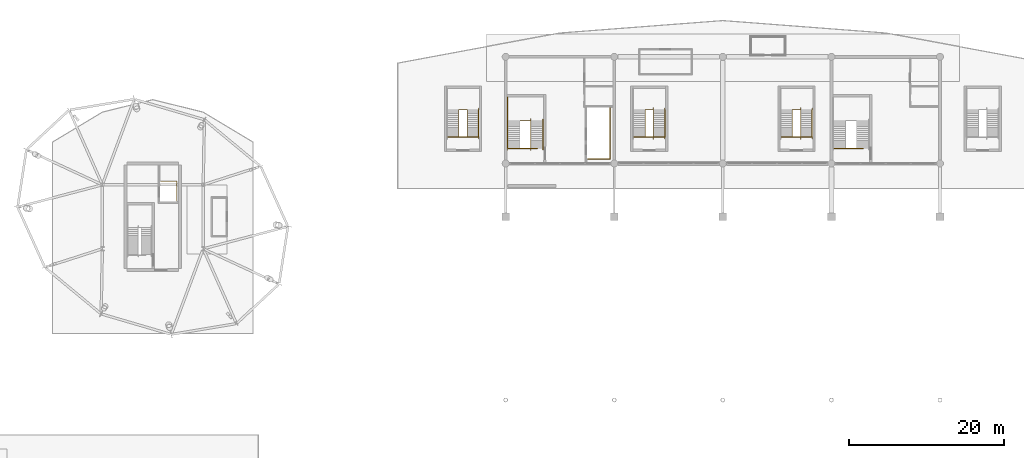
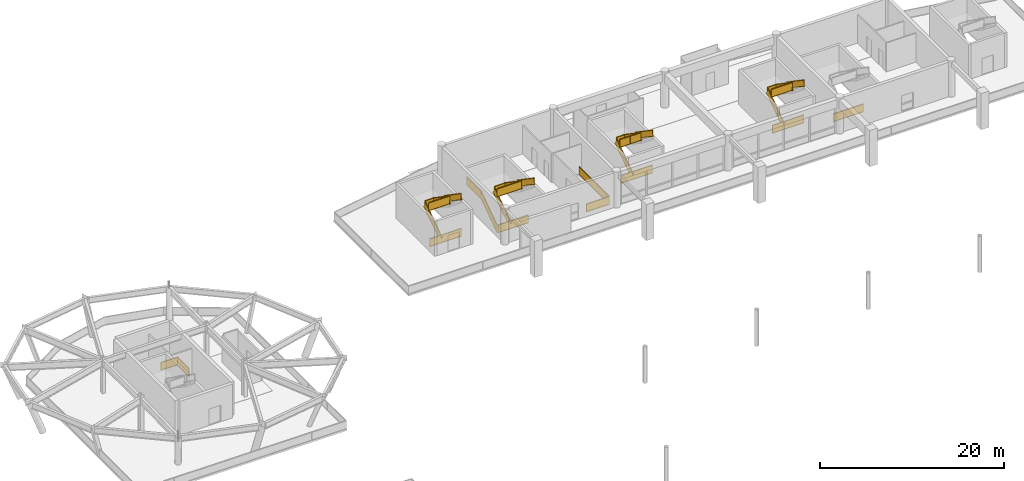
# One storey, part 88 of 91: 16 railings.
"""IFC4 building model written with IfcOpenShell, lengths in metres."""

from ifc_helpers import new_model, si_unit, direction, frame, origin, origin_2d, place, context, subcontext, project, spatial, rectangle, extrude, material, type_object, element, save


model = new_model("IFC4")

# Units and contexts
model_context = context("Model", 3, precision=1e-05, world=origin(), true_north=direction((0.0, 1.0)))
body_context = subcontext(model_context, "Body", "Model", "MODEL_VIEW")
ifc_project = project(units=[si_unit("LENGTHUNIT", "METRE"), si_unit("AREAUNIT", "SQUARE_METRE"), si_unit("VOLUMEUNIT", "CUBIC_METRE"), si_unit("PLANEANGLEUNIT", "RADIAN"), si_unit("MASSUNIT", "GRAM", prefix="KILO")], contexts=[model_context])

# Site, building, storey
site_placement = place(None, origin())
site = spatial("IfcSite", under=ifc_project, at=site_placement, CompositionType="ELEMENT")
building_placement = place(site_placement, origin())
building = spatial("IfcBuilding", under=site, at=building_placement, Name="Linyun Crest Stadium", CompositionType="ELEMENT")
storey_placement = place(building_placement, frame((0.0, 0.0, 11.39990234375)))
storey = spatial("IfcBuildingStorey", under=building, at=storey_placement, Name="L03", CompositionType="ELEMENT", Elevation=11.39990234375)

# Railings
ifc_material_1 = material(Name="Galvanized and powder-coated steel bowl safety barrier", Category="steel")
railing_type_1 = type_object("IfcRailingType", Name="GR02", PredefinedType="GUARDRAIL", material=ifc_material_1)
railing_1_placement = place(storey_placement, frame((14.340087890625, 93.4599609375, 0.0)))
element("IfcRailing", 1, at=railing_1_placement, inside=storey, type_object=railing_type_1, Name="Slab edge balustrade GR02 207", PredefinedType="GUARDRAIL", context=body_context, shape_type="SweptSolid", body=[
    extrude(rectangle(XDim=0.06005859375, YDim=0.06005859375, at=origin_2d()), frame((0.0, 0.0, 1.090087890625), z_axis=(1.0, 0.0, 0.0), x_axis=(0.0, 1.0, 0.0)), (0.0, 0.0, 1.0), 3.760009765625),
    extrude(rectangle(XDim=0.030029296875, YDim=1.0, at=origin_2d()), frame((0.0, 0.0, 0.56005859375), z_axis=(1.0, 0.0, 0.0), x_axis=(0.0, 1.0, 0.0)), (0.0, 0.0, 1.0), 3.760009765625),
    extrude(rectangle(XDim=0.06005859375, YDim=0.06005859375, at=origin_2d()), frame((0.0, 0.0, 0.030029296875), z_axis=(1.0, 0.0, 0.0), x_axis=(0.0, 1.0, 0.0)), (0.0, 0.0, 1.0), 3.760009765625),
    extrude(rectangle(XDim=0.050048828125, YDim=0.050048828125, at=origin_2d()), origin(), (0.0, 0.0, 1.0), 1.1201171875),
    extrude(rectangle(XDim=0.050048828125, YDim=0.050048828125, at=origin_2d()), frame((3.760009765625, 0.0, 0.0)), (0.0, 0.0, 1.0), 1.1201171875),
])
for number, where, name in (
    (2, (7.5400390625, 94.889892578125, 0.0), "Slab edge balustrade GR02 208"),
    (3, (-11.4599609375, 94.889892578125, 0.0), "Slab edge balustrade GR02 209"),
):
    element("IfcRailing", number, at=place(storey_placement, frame(where)), inside=storey, type_object=railing_type_1, Name=name, PredefinedType="GUARDRAIL", context=body_context, shape_type="SweptSolid", body=[
        extrude(rectangle(XDim=0.06005859375, YDim=0.06005859375, at=origin_2d()), frame((0.0, 0.0, 1.090087890625), z_axis=(1.0, 0.0, 0.0), x_axis=(0.0, 1.0, 0.0)), (0.0, 0.0, 1.0), 3.919921875),
        extrude(rectangle(XDim=0.030029296875, YDim=1.0, at=origin_2d()), frame((0.0, 0.0, 0.56005859375), z_axis=(1.0, 0.0, 0.0), x_axis=(0.0, 1.0, 0.0)), (0.0, 0.0, 1.0), 3.919921875),
        extrude(rectangle(XDim=0.06005859375, YDim=0.06005859375, at=origin_2d()), frame((0.0, 0.0, 0.030029296875), z_axis=(1.0, 0.0, 0.0), x_axis=(0.0, 1.0, 0.0)), (0.0, 0.0, 1.0), 3.919921875),
        extrude(rectangle(XDim=0.050048828125, YDim=0.050048828125, at=origin_2d()), origin(), (0.0, 0.0, 1.0), 1.1201171875),
        extrude(rectangle(XDim=0.050048828125, YDim=0.050048828125, at=origin_2d()), frame((3.919921875, 0.0, 0.0)), (0.0, 0.0, 1.0), 1.1201171875),
    ])
railing_2_placement = place(storey_placement, frame((-17.419921875, 92.090087890625, 0.0)))
element("IfcRailing", 4, at=railing_2_placement, inside=storey, type_object=railing_type_1, Name="Slab edge balustrade GR02 210", PredefinedType="GUARDRAIL", context=body_context, shape_type="SweptSolid", body=[
    extrude(rectangle(XDim=0.06005859375, YDim=0.06005859375, at=origin_2d()), frame((0.0, 0.0, 1.090087890625), z_axis=(1.0, 0.0, 0.0), x_axis=(0.0, 1.0, 0.0)), (0.0, 0.0, 1.0), 2.8798828125),
    extrude(rectangle(XDim=0.030029296875, YDim=1.0, at=origin_2d()), frame((0.0, 0.0, 0.56005859375), z_axis=(1.0, 0.0, 0.0), x_axis=(0.0, 1.0, 0.0)), (0.0, 0.0, 1.0), 2.8798828125),
    extrude(rectangle(XDim=0.06005859375, YDim=0.06005859375, at=origin_2d()), frame((0.0, 0.0, 0.030029296875), z_axis=(1.0, 0.0, 0.0), x_axis=(0.0, 1.0, 0.0)), (0.0, 0.0, 1.0), 2.8798828125),
    extrude(rectangle(XDim=0.06005859375, YDim=0.06005859375, at=origin_2d()), frame((2.8798828125, 0.0, 1.090087890625), z_axis=(0.0, 1.0, 0.0), x_axis=(-1.0, 0.0, 0.0)), (0.0, 0.0, 1.0), 6.5498046875),
    extrude(rectangle(XDim=0.030029296875, YDim=1.0, at=origin_2d()), frame((2.8798828125, 0.0, 0.56005859375), z_axis=(0.0, 1.0, 0.0), x_axis=(-1.0, 0.0, 0.0)), (0.0, 0.0, 1.0), 6.5498046875),
    extrude(rectangle(XDim=0.06005859375, YDim=0.06005859375, at=origin_2d()), frame((2.8798828125, 0.0, 0.030029296875), z_axis=(0.0, 1.0, 0.0), x_axis=(-1.0, 0.0, 0.0)), (0.0, 0.0, 1.0), 6.5498046875),
    extrude(rectangle(XDim=0.050048828125, YDim=0.050048828125, at=origin_2d()), origin(), (0.0, 0.0, 1.0), 1.1201171875),
    extrude(rectangle(XDim=0.050048828125, YDim=0.050048828125, at=origin_2d()), frame((2.8798828125, 0.0, 0.0)), (0.0, 0.0, 1.0), 1.1201171875),
    extrude(rectangle(XDim=0.050048828125, YDim=0.050048828125, at=origin_2d()), frame((2.8798828125, 3.27490234375, 0.0)), (0.0, 0.0, 1.0), 1.1201171875),
    extrude(rectangle(XDim=0.050048828125, YDim=0.050048828125, at=origin_2d()), frame((2.8798828125, 6.5498046875, 0.0)), (0.0, 0.0, 1.0), 1.1201171875),
])
railing_3_placement = place(storey_placement, frame((-27.68505859375, 93.4599609375, 0.0)))
element("IfcRailing", 5, at=railing_3_placement, inside=storey, type_object=railing_type_1, Name="Slab edge balustrade GR02 211", PredefinedType="GUARDRAIL", context=body_context, shape_type="SweptSolid", body=[
    extrude(rectangle(XDim=0.06005859375, YDim=0.06005859375, at=origin_2d()), frame((0.0, 0.0, 1.090087890625), z_axis=(1.0, 0.0, 0.0), x_axis=(0.0, 1.0, 0.0)), (0.0, 0.0, 1.0), 3.78515625),
    extrude(rectangle(XDim=0.030029296875, YDim=1.0, at=origin_2d()), frame((0.0, 0.0, 0.56005859375), z_axis=(1.0, 0.0, 0.0), x_axis=(0.0, 1.0, 0.0)), (0.0, 0.0, 1.0), 3.78515625),
    extrude(rectangle(XDim=0.06005859375, YDim=0.06005859375, at=origin_2d()), frame((0.0, 0.0, 0.030029296875), z_axis=(1.0, 0.0, 0.0), x_axis=(0.0, 1.0, 0.0)), (0.0, 0.0, 1.0), 3.78515625),
    extrude(rectangle(XDim=0.050048828125, YDim=0.050048828125, at=origin_2d()), origin(), (0.0, 0.0, 1.0), 1.1201171875),
    extrude(rectangle(XDim=0.050048828125, YDim=0.050048828125, at=origin_2d()), frame((3.78515625, 0.0, 0.0)), (0.0, 0.0, 1.0), 1.1201171875),
])
railing_4_placement = place(storey_placement, frame((-35.4599609375, 94.889892578125, 0.0)))
element("IfcRailing", 6, at=railing_4_placement, inside=storey, type_object=railing_type_1, Name="Slab edge balustrade GR02 212", PredefinedType="GUARDRAIL", context=body_context, shape_type="SweptSolid", body=[
    extrude(rectangle(XDim=0.06005859375, YDim=0.06005859375, at=origin_2d()), frame((0.0, 0.0, 1.090087890625), z_axis=(1.0, 0.0, 0.0), x_axis=(0.0, 1.0, 0.0)), (0.0, 0.0, 1.0), 3.919921875),
    extrude(rectangle(XDim=0.030029296875, YDim=1.0, at=origin_2d()), frame((0.0, 0.0, 0.56005859375), z_axis=(1.0, 0.0, 0.0), x_axis=(0.0, 1.0, 0.0)), (0.0, 0.0, 1.0), 3.919921875),
    extrude(rectangle(XDim=0.06005859375, YDim=0.06005859375, at=origin_2d()), frame((0.0, 0.0, 0.030029296875), z_axis=(1.0, 0.0, 0.0), x_axis=(0.0, 1.0, 0.0)), (0.0, 0.0, 1.0), 3.919921875),
    extrude(rectangle(XDim=0.050048828125, YDim=0.050048828125, at=origin_2d()), origin(), (0.0, 0.0, 1.0), 1.1201171875),
    extrude(rectangle(XDim=0.050048828125, YDim=0.050048828125, at=origin_2d()), frame((3.919921875, 0.0, 0.0)), (0.0, 0.0, 1.0), 1.1201171875),
])
railing_5_placement = place(storey_placement, frame((-70.389892578125, 86.68994140625, 0.0)))
element("IfcRailing", 7, at=railing_5_placement, inside=storey, type_object=railing_type_1, Name="Slab edge balustrade GR02 284", PredefinedType="GUARDRAIL", context=body_context, shape_type="SweptSolid", body=[
    extrude(rectangle(XDim=0.06005859375, YDim=0.06005859375, at=origin_2d()), frame((0.0, 0.0, 1.090087890625), z_axis=(0.0, 1.0, 0.0), x_axis=(-1.0, 0.0, 0.0)), (0.0, 0.0, 1.0), 2.52001953125),
    extrude(rectangle(XDim=0.030029296875, YDim=1.0, at=origin_2d()), frame((0.0, 0.0, 0.56005859375), z_axis=(0.0, 1.0, 0.0), x_axis=(-1.0, 0.0, 0.0)), (0.0, 0.0, 1.0), 2.52001953125),
    extrude(rectangle(XDim=0.06005859375, YDim=0.06005859375, at=origin_2d()), frame((0.0, 0.0, 0.030029296875), z_axis=(0.0, 1.0, 0.0), x_axis=(-1.0, 0.0, 0.0)), (0.0, 0.0, 1.0), 2.52001953125),
    extrude(rectangle(XDim=0.06005859375, YDim=0.06005859375, at=origin_2d()), frame((0.0, 2.52001953125, 1.090087890625), z_axis=(-1.0, 0.0, 0.0), x_axis=(0.0, -1.0, 0.0)), (0.0, 0.0, 1.0), 2.080078125),
    extrude(rectangle(XDim=0.030029296875, YDim=1.0, at=origin_2d()), frame((0.0, 2.52001953125, 0.56005859375), z_axis=(-1.0, 0.0, 0.0), x_axis=(0.0, -1.0, 0.0)), (0.0, 0.0, 1.0), 2.080078125),
    extrude(rectangle(XDim=0.06005859375, YDim=0.06005859375, at=origin_2d()), frame((0.0, 2.52001953125, 0.030029296875), z_axis=(-1.0, 0.0, 0.0), x_axis=(0.0, -1.0, 0.0)), (0.0, 0.0, 1.0), 2.080078125),
    extrude(rectangle(XDim=0.050048828125, YDim=0.050048828125, at=origin_2d()), origin(), (0.0, 0.0, 1.0), 1.1201171875),
    extrude(rectangle(XDim=0.050048828125, YDim=0.050048828125, at=origin_2d()), frame((0.0, 2.52001953125, 0.0)), (0.0, 0.0, 1.0), 1.1201171875),
    extrude(rectangle(XDim=0.050048828125, YDim=0.050048828125, at=origin_2d()), frame((-2.080078125, 2.52001953125, 0.0)), (0.0, 0.0, 1.0), 1.1201171875),
])
ifc_material_2 = material(Name="Painted steel stairwell safety guard", Category="steel")
railing_type_2 = type_object("IfcRailingType", Name="GR03", PredefinedType="GUARDRAIL", material=ifc_material_2)
railing_6_placement = place(storey_placement, frame((-27.794921875, 93.489990234375, 0.0)))
element("IfcRailing", 8, at=railing_6_placement, inside=storey, type_object=railing_type_2, Name="STR-07-L03 outer guard", PredefinedType="GUARDRAIL", context=body_context, shape_type="SweptSolid", body=[
    extrude(rectangle(XDim=0.06005859375, YDim=0.06005859375, at=origin_2d()), frame((0.0, 0.0, 1.090087890625), z_axis=(0.0, 0.824712752785, 0.565551832633), x_axis=(-1.0, 0.0, 0.0)), (0.0, 0.0, 1.0), 4.243896484375),
    extrude(rectangle(XDim=0.030029296875, YDim=1.0, at=origin_2d()), frame((0.0, 0.0, 0.56005859375), z_axis=(0.0, 0.824712752785, 0.565551832633), x_axis=(-1.0, 0.0, 0.0)), (0.0, 0.0, 1.0), 4.243896484375),
    extrude(rectangle(XDim=0.06005859375, YDim=0.06005859375, at=origin_2d()), frame((0.0, 0.0, 0.030029296875), z_axis=(0.0, 0.824712752785, 0.565551832633), x_axis=(-1.0, 0.0, 0.0)), (0.0, 0.0, 1.0), 4.243896484375),
    extrude(rectangle(XDim=0.06005859375, YDim=0.06005859375, at=origin_2d()), frame((0.0, 3.5, 3.490234375), z_axis=(0.0, 1.0, 0.0), x_axis=(-1.0, 0.0, 0.0)), (0.0, 0.0, 1.0), 3.080078125),
    extrude(rectangle(XDim=0.030029296875, YDim=1.0, at=origin_2d()), frame((0.0, 3.5, 2.960205078125), z_axis=(0.0, 1.0, 0.0), x_axis=(-1.0, 0.0, 0.0)), (0.0, 0.0, 1.0), 3.080078125),
    extrude(rectangle(XDim=0.06005859375, YDim=0.06005859375, at=origin_2d()), frame((0.0, 3.5, 2.43017578125), z_axis=(0.0, 1.0, 0.0), x_axis=(-1.0, 0.0, 0.0)), (0.0, 0.0, 1.0), 3.080078125),
    extrude(rectangle(XDim=0.050048828125, YDim=0.050048828125, at=origin_2d()), origin(), (0.0, 0.0, 1.0), 1.1201171875),
    extrude(rectangle(XDim=0.050048828125, YDim=0.050048828125, at=origin_2d()), frame((0.0, 1.166748046875, 0.800048828125)), (0.0, 0.0, 1.0), 1.1201171875),
    extrude(rectangle(XDim=0.050048828125, YDim=0.050048828125, at=origin_2d()), frame((0.0, 2.333251953125, 1.60009765625)), (0.0, 0.0, 1.0), 1.1201171875),
    extrude(rectangle(XDim=0.050048828125, YDim=0.050048828125, at=origin_2d()), frame((0.0, 3.5, 2.400146484375)), (0.0, 0.0, 1.0), 1.1201171875),
    extrude(rectangle(XDim=0.050048828125, YDim=0.050048828125, at=origin_2d()), frame((0.0, 5.0400390625, 2.400146484375)), (0.0, 0.0, 1.0), 1.1201171875),
    extrude(rectangle(XDim=0.050048828125, YDim=0.050048828125, at=origin_2d()), frame((0.0, 6.580078125, 2.400146484375)), (0.0, 0.0, 1.0), 1.1201171875),
])
railing_7_placement = place(storey_placement, frame((-26.155029296875, 93.469970703125, 0.0)))
element("IfcRailing", 9, at=railing_7_placement, inside=storey, type_object=railing_type_2, Name="STR-07-L03 inner well guard", PredefinedType="GUARDRAIL", context=body_context, shape_type="SweptSolid", body=[
    extrude(rectangle(XDim=0.06005859375, YDim=0.06005859375, at=origin_2d()), frame((0.0, 0.0, 1.090087890625), z_axis=(0.0, 0.826212794201, 0.563358162005), x_axis=(-1.0, 0.0, 0.0)), (0.0, 0.0, 1.0), 4.260498046875),
    extrude(rectangle(XDim=0.030029296875, YDim=1.0, at=origin_2d()), frame((0.0, 0.0, 0.56005859375), z_axis=(0.0, 0.826212794201, 0.563358162005), x_axis=(-1.0, 0.0, 0.0)), (0.0, 0.0, 1.0), 4.260498046875),
    extrude(rectangle(XDim=0.06005859375, YDim=0.06005859375, at=origin_2d()), frame((0.0, 0.0, 0.030029296875), z_axis=(0.0, 0.826212794201, 0.563358162005), x_axis=(-1.0, 0.0, 0.0)), (0.0, 0.0, 1.0), 4.260498046875),
    extrude(rectangle(XDim=0.06005859375, YDim=0.06005859375, at=origin_2d()), frame((0.0, 3.52001953125, 3.490234375), z_axis=(1.0, 0.0, 0.0), x_axis=(0.0, 1.0, 0.0)), (0.0, 0.0, 1.0), 1.385009765625),
    extrude(rectangle(XDim=0.030029296875, YDim=1.0, at=origin_2d()), frame((0.0, 3.52001953125, 2.960205078125), z_axis=(1.0, 0.0, 0.0), x_axis=(0.0, 1.0, 0.0)), (0.0, 0.0, 1.0), 1.385009765625),
    extrude(rectangle(XDim=0.06005859375, YDim=0.06005859375, at=origin_2d()), frame((0.0, 3.52001953125, 2.43017578125), z_axis=(1.0, 0.0, 0.0), x_axis=(0.0, 1.0, 0.0)), (0.0, 0.0, 1.0), 1.385009765625),
    extrude(rectangle(XDim=0.06005859375, YDim=0.06005859375, at=origin_2d()), frame((1.385009765625, 3.52001953125, 3.490234375), z_axis=(0.0, -0.826239466617, 0.563319042644), x_axis=(1.0, 0.0, 0.0)), (0.0, 0.0, 1.0), 4.26025390625),
    extrude(rectangle(XDim=0.030029296875, YDim=1.0, at=origin_2d()), frame((1.385009765625, 3.52001953125, 2.960205078125), z_axis=(0.0, -0.826239466617, 0.563319042644), x_axis=(1.0, 0.0, 0.0)), (0.0, 0.0, 1.0), 4.26025390625),
    extrude(rectangle(XDim=0.06005859375, YDim=0.06005859375, at=origin_2d()), frame((1.385009765625, 3.52001953125, 2.43017578125), z_axis=(0.0, -0.826239466617, 0.563319042644), x_axis=(1.0, 0.0, 0.0)), (0.0, 0.0, 1.0), 4.26025390625),
    extrude(rectangle(XDim=0.06005859375, YDim=0.06005859375, at=origin_2d()), frame((1.385009765625, 0.0, 5.89013671875), z_axis=(-1.0, 0.0, 0.0), x_axis=(0.0, -1.0, 0.0)), (0.0, 0.0, 1.0), 3.034912109375),
    extrude(rectangle(XDim=0.030029296875, YDim=1.0, at=origin_2d()), frame((1.385009765625, 0.0, 5.360107421875), z_axis=(-1.0, 0.0, 0.0), x_axis=(0.0, -1.0, 0.0)), (0.0, 0.0, 1.0), 3.034912109375),
    extrude(rectangle(XDim=0.06005859375, YDim=0.06005859375, at=origin_2d()), frame((1.385009765625, 0.0, 4.830078125), z_axis=(-1.0, 0.0, 0.0), x_axis=(0.0, -1.0, 0.0)), (0.0, 0.0, 1.0), 3.034912109375),
    extrude(rectangle(XDim=0.050048828125, YDim=0.050048828125, at=origin_2d()), origin(), (0.0, 0.0, 1.0), 1.1201171875),
    extrude(rectangle(XDim=0.050048828125, YDim=0.050048828125, at=origin_2d()), frame((0.0, 1.17333984375, 0.800048828125)), (0.0, 0.0, 1.0), 1.1201171875),
    extrude(rectangle(XDim=0.050048828125, YDim=0.050048828125, at=origin_2d()), frame((0.0, 2.3466796875, 1.60009765625)), (0.0, 0.0, 1.0), 1.1201171875),
    extrude(rectangle(XDim=0.050048828125, YDim=0.050048828125, at=origin_2d()), frame((0.0, 3.52001953125, 2.400146484375)), (0.0, 0.0, 1.0), 1.1201171875),
    extrude(rectangle(XDim=0.050048828125, YDim=0.050048828125, at=origin_2d()), frame((1.385009765625, 3.52001953125, 2.400146484375)), (0.0, 0.0, 1.0), 1.1201171875),
    extrude(rectangle(XDim=0.050048828125, YDim=0.050048828125, at=origin_2d()), frame((1.385009765625, 2.3466796875, 3.2001953125)), (0.0, 0.0, 1.0), 1.1201171875),
    extrude(rectangle(XDim=0.050048828125, YDim=0.050048828125, at=origin_2d()), frame((1.385009765625, 1.17333984375, 4.0)), (0.0, 0.0, 1.0), 1.1201171875),
    extrude(rectangle(XDim=0.050048828125, YDim=0.050048828125, at=origin_2d()), frame((1.385009765625, 0.0, 4.800048828125)), (0.0, 0.0, 1.0), 1.1201171875),
    extrude(rectangle(XDim=0.050048828125, YDim=0.050048828125, at=origin_2d()), frame((-0.13232421875, 0.0, 4.800048828125)), (0.0, 0.0, 1.0), 1.1201171875),
    extrude(rectangle(XDim=0.050048828125, YDim=0.050048828125, at=origin_2d()), frame((-1.64990234375, 0.0, 4.800048828125)), (0.0, 0.0, 1.0), 1.1201171875),
])
railing_8_placement = place(storey_placement, frame((-34.030029296875, 94.89990234375, 0.0)))
element("IfcRailing", 10, at=railing_8_placement, inside=storey, type_object=railing_type_2, Name="STR-23-L03 inner well guard", PredefinedType="GUARDRAIL", context=body_context, shape_type="SweptSolid", body=[
    extrude(rectangle(XDim=0.06005859375, YDim=0.06005859375, at=origin_2d()), frame((0.0, 0.0, 1.090087890625), z_axis=(0.0, 0.826212794201, 0.563358162005), x_axis=(-1.0, 0.0, 0.0)), (0.0, 0.0, 1.0), 4.260498046875),
    extrude(rectangle(XDim=0.030029296875, YDim=1.0, at=origin_2d()), frame((0.0, 0.0, 0.56005859375), z_axis=(0.0, 0.826212794201, 0.563358162005), x_axis=(-1.0, 0.0, 0.0)), (0.0, 0.0, 1.0), 4.260498046875),
    extrude(rectangle(XDim=0.06005859375, YDim=0.06005859375, at=origin_2d()), frame((0.0, 0.0, 0.030029296875), z_axis=(0.0, 0.826212794201, 0.563358162005), x_axis=(-1.0, 0.0, 0.0)), (0.0, 0.0, 1.0), 4.260498046875),
    extrude(rectangle(XDim=0.06005859375, YDim=0.06005859375, at=origin_2d()), frame((0.0, 3.52001953125, 3.490234375), z_axis=(1.0, 0.0, 0.0), x_axis=(0.0, 1.0, 0.0)), (0.0, 0.0, 1.0), 1.06005859375),
    extrude(rectangle(XDim=0.030029296875, YDim=1.0, at=origin_2d()), frame((0.0, 3.52001953125, 2.960205078125), z_axis=(1.0, 0.0, 0.0), x_axis=(0.0, 1.0, 0.0)), (0.0, 0.0, 1.0), 1.06005859375),
    extrude(rectangle(XDim=0.06005859375, YDim=0.06005859375, at=origin_2d()), frame((0.0, 3.52001953125, 2.43017578125), z_axis=(1.0, 0.0, 0.0), x_axis=(0.0, 1.0, 0.0)), (0.0, 0.0, 1.0), 1.06005859375),
    extrude(rectangle(XDim=0.06005859375, YDim=0.06005859375, at=origin_2d()), frame((1.06005859375, 3.52001953125, 3.490234375), z_axis=(0.0, -0.826239466617, 0.563319042644), x_axis=(1.0, 0.0, 0.0)), (0.0, 0.0, 1.0), 4.26025390625),
    extrude(rectangle(XDim=0.030029296875, YDim=1.0, at=origin_2d()), frame((1.06005859375, 3.52001953125, 2.960205078125), z_axis=(0.0, -0.826239466617, 0.563319042644), x_axis=(1.0, 0.0, 0.0)), (0.0, 0.0, 1.0), 4.26025390625),
    extrude(rectangle(XDim=0.06005859375, YDim=0.06005859375, at=origin_2d()), frame((1.06005859375, 3.52001953125, 2.43017578125), z_axis=(0.0, -0.826239466617, 0.563319042644), x_axis=(1.0, 0.0, 0.0)), (0.0, 0.0, 1.0), 4.26025390625),
    extrude(rectangle(XDim=0.06005859375, YDim=0.06005859375, at=origin_2d()), frame((1.06005859375, 0.0, 5.89013671875), z_axis=(-1.0, 0.0, 0.0), x_axis=(0.0, -1.0, 0.0)), (0.0, 0.0, 1.0), 2.610107421875),
    extrude(rectangle(XDim=0.030029296875, YDim=1.0, at=origin_2d()), frame((1.06005859375, 0.0, 5.360107421875), z_axis=(-1.0, 0.0, 0.0), x_axis=(0.0, -1.0, 0.0)), (0.0, 0.0, 1.0), 2.610107421875),
    extrude(rectangle(XDim=0.06005859375, YDim=0.06005859375, at=origin_2d()), frame((1.06005859375, 0.0, 4.830078125), z_axis=(-1.0, 0.0, 0.0), x_axis=(0.0, -1.0, 0.0)), (0.0, 0.0, 1.0), 2.610107421875),
    extrude(rectangle(XDim=0.050048828125, YDim=0.050048828125, at=origin_2d()), origin(), (0.0, 0.0, 1.0), 1.1201171875),
    extrude(rectangle(XDim=0.050048828125, YDim=0.050048828125, at=origin_2d()), frame((0.0, 1.17333984375, 0.800048828125)), (0.0, 0.0, 1.0), 1.1201171875),
    extrude(rectangle(XDim=0.050048828125, YDim=0.050048828125, at=origin_2d()), frame((0.0, 2.3466796875, 1.60009765625)), (0.0, 0.0, 1.0), 1.1201171875),
    extrude(rectangle(XDim=0.050048828125, YDim=0.050048828125, at=origin_2d()), frame((0.0, 3.52001953125, 2.400146484375)), (0.0, 0.0, 1.0), 1.1201171875),
    extrude(rectangle(XDim=0.050048828125, YDim=0.050048828125, at=origin_2d()), frame((1.06005859375, 3.52001953125, 2.400146484375)), (0.0, 0.0, 1.0), 1.1201171875),
    extrude(rectangle(XDim=0.050048828125, YDim=0.050048828125, at=origin_2d()), frame((1.06005859375, 2.3466796875, 3.2001953125)), (0.0, 0.0, 1.0), 1.1201171875),
    extrude(rectangle(XDim=0.050048828125, YDim=0.050048828125, at=origin_2d()), frame((1.06005859375, 1.17333984375, 4.0)), (0.0, 0.0, 1.0), 1.1201171875),
    extrude(rectangle(XDim=0.050048828125, YDim=0.050048828125, at=origin_2d()), frame((1.06005859375, 0.0, 4.800048828125)), (0.0, 0.0, 1.0), 1.1201171875),
    extrude(rectangle(XDim=0.050048828125, YDim=0.050048828125, at=origin_2d()), frame((-0.2451171875, 0.0, 4.800048828125)), (0.0, 0.0, 1.0), 1.1201171875),
    extrude(rectangle(XDim=0.050048828125, YDim=0.050048828125, at=origin_2d()), frame((-1.550048828125, 0.0, 4.800048828125)), (0.0, 0.0, 1.0), 1.1201171875),
])
railing_9_placement = place(storey_placement, frame((-10.030029296875, 94.89990234375, 0.0)))
element("IfcRailing", 11, at=railing_9_placement, inside=storey, type_object=railing_type_2, Name="STR-24-L03 inner well guard", PredefinedType="GUARDRAIL", context=body_context, shape_type="SweptSolid", body=[
    extrude(rectangle(XDim=0.06005859375, YDim=0.06005859375, at=origin_2d()), frame((0.0, 0.0, 1.090087890625), z_axis=(0.0, 0.826212794201, 0.563358162005), x_axis=(-1.0, 0.0, 0.0)), (0.0, 0.0, 1.0), 4.260498046875),
    extrude(rectangle(XDim=0.030029296875, YDim=1.0, at=origin_2d()), frame((0.0, 0.0, 0.56005859375), z_axis=(0.0, 0.826212794201, 0.563358162005), x_axis=(-1.0, 0.0, 0.0)), (0.0, 0.0, 1.0), 4.260498046875),
    extrude(rectangle(XDim=0.06005859375, YDim=0.06005859375, at=origin_2d()), frame((0.0, 0.0, 0.030029296875), z_axis=(0.0, 0.826212794201, 0.563358162005), x_axis=(-1.0, 0.0, 0.0)), (0.0, 0.0, 1.0), 4.260498046875),
    extrude(rectangle(XDim=0.06005859375, YDim=0.06005859375, at=origin_2d()), frame((0.0, 3.52001953125, 3.490234375), z_axis=(1.0, 0.0, 0.0), x_axis=(0.0, 1.0, 0.0)), (0.0, 0.0, 1.0), 1.06005859375),
    extrude(rectangle(XDim=0.030029296875, YDim=1.0, at=origin_2d()), frame((0.0, 3.52001953125, 2.960205078125), z_axis=(1.0, 0.0, 0.0), x_axis=(0.0, 1.0, 0.0)), (0.0, 0.0, 1.0), 1.06005859375),
    extrude(rectangle(XDim=0.06005859375, YDim=0.06005859375, at=origin_2d()), frame((0.0, 3.52001953125, 2.43017578125), z_axis=(1.0, 0.0, 0.0), x_axis=(0.0, 1.0, 0.0)), (0.0, 0.0, 1.0), 1.06005859375),
    extrude(rectangle(XDim=0.06005859375, YDim=0.06005859375, at=origin_2d()), frame((1.06005859375, 3.52001953125, 3.490234375), z_axis=(0.0, -0.826239466617, 0.563319042644), x_axis=(1.0, 0.0, 0.0)), (0.0, 0.0, 1.0), 4.26025390625),
    extrude(rectangle(XDim=0.030029296875, YDim=1.0, at=origin_2d()), frame((1.06005859375, 3.52001953125, 2.960205078125), z_axis=(0.0, -0.826239466617, 0.563319042644), x_axis=(1.0, 0.0, 0.0)), (0.0, 0.0, 1.0), 4.26025390625),
    extrude(rectangle(XDim=0.06005859375, YDim=0.06005859375, at=origin_2d()), frame((1.06005859375, 3.52001953125, 2.43017578125), z_axis=(0.0, -0.826239466617, 0.563319042644), x_axis=(1.0, 0.0, 0.0)), (0.0, 0.0, 1.0), 4.26025390625),
    extrude(rectangle(XDim=0.06005859375, YDim=0.06005859375, at=origin_2d()), frame((1.06005859375, 0.0, 5.89013671875), z_axis=(-1.0, 0.0, 0.0), x_axis=(0.0, -1.0, 0.0)), (0.0, 0.0, 1.0), 2.610107421875),
    extrude(rectangle(XDim=0.030029296875, YDim=1.0, at=origin_2d()), frame((1.06005859375, 0.0, 5.360107421875), z_axis=(-1.0, 0.0, 0.0), x_axis=(0.0, -1.0, 0.0)), (0.0, 0.0, 1.0), 2.610107421875),
    extrude(rectangle(XDim=0.06005859375, YDim=0.06005859375, at=origin_2d()), frame((1.06005859375, 0.0, 4.830078125), z_axis=(-1.0, 0.0, 0.0), x_axis=(0.0, -1.0, 0.0)), (0.0, 0.0, 1.0), 2.610107421875),
    extrude(rectangle(XDim=0.050048828125, YDim=0.050048828125, at=origin_2d()), origin(), (0.0, 0.0, 1.0), 1.1201171875),
    extrude(rectangle(XDim=0.050048828125, YDim=0.050048828125, at=origin_2d()), frame((0.0, 1.17333984375, 0.800048828125)), (0.0, 0.0, 1.0), 1.1201171875),
    extrude(rectangle(XDim=0.050048828125, YDim=0.050048828125, at=origin_2d()), frame((0.0, 2.3466796875, 1.60009765625)), (0.0, 0.0, 1.0), 1.1201171875),
    extrude(rectangle(XDim=0.050048828125, YDim=0.050048828125, at=origin_2d()), frame((0.0, 3.52001953125, 2.400146484375)), (0.0, 0.0, 1.0), 1.1201171875),
    extrude(rectangle(XDim=0.050048828125, YDim=0.050048828125, at=origin_2d()), frame((1.06005859375, 3.52001953125, 2.400146484375)), (0.0, 0.0, 1.0), 1.1201171875),
    extrude(rectangle(XDim=0.050048828125, YDim=0.050048828125, at=origin_2d()), frame((1.06005859375, 2.3466796875, 3.2001953125)), (0.0, 0.0, 1.0), 1.1201171875),
    extrude(rectangle(XDim=0.050048828125, YDim=0.050048828125, at=origin_2d()), frame((1.06005859375, 1.17333984375, 4.0)), (0.0, 0.0, 1.0), 1.1201171875),
    extrude(rectangle(XDim=0.050048828125, YDim=0.050048828125, at=origin_2d()), frame((1.06005859375, 0.0, 4.800048828125)), (0.0, 0.0, 1.0), 1.1201171875),
    extrude(rectangle(XDim=0.050048828125, YDim=0.050048828125, at=origin_2d()), frame((-0.2451171875, 0.0, 4.800048828125)), (0.0, 0.0, 1.0), 1.1201171875),
    extrude(rectangle(XDim=0.050048828125, YDim=0.050048828125, at=origin_2d()), frame((-1.550048828125, 0.0, 4.800048828125)), (0.0, 0.0, 1.0), 1.1201171875),
])
railing_10_placement = place(storey_placement, frame((8.969970703125, 94.89990234375, 0.0)))
element("IfcRailing", 12, at=railing_10_placement, inside=storey, type_object=railing_type_2, Name="STR-25-L03 inner well guard", PredefinedType="GUARDRAIL", context=body_context, shape_type="SweptSolid", body=[
    extrude(rectangle(XDim=0.06005859375, YDim=0.06005859375, at=origin_2d()), frame((0.0, 0.0, 1.090087890625), z_axis=(0.0, 0.826212794201, 0.563358162005), x_axis=(-1.0, 0.0, 0.0)), (0.0, 0.0, 1.0), 4.260498046875),
    extrude(rectangle(XDim=0.030029296875, YDim=1.0, at=origin_2d()), frame((0.0, 0.0, 0.56005859375), z_axis=(0.0, 0.826212794201, 0.563358162005), x_axis=(-1.0, 0.0, 0.0)), (0.0, 0.0, 1.0), 4.260498046875),
    extrude(rectangle(XDim=0.06005859375, YDim=0.06005859375, at=origin_2d()), frame((0.0, 0.0, 0.030029296875), z_axis=(0.0, 0.826212794201, 0.563358162005), x_axis=(-1.0, 0.0, 0.0)), (0.0, 0.0, 1.0), 4.260498046875),
    extrude(rectangle(XDim=0.06005859375, YDim=0.06005859375, at=origin_2d()), frame((0.0, 3.52001953125, 3.490234375), z_axis=(1.0, 0.0, 0.0), x_axis=(0.0, 1.0, 0.0)), (0.0, 0.0, 1.0), 1.06005859375),
    extrude(rectangle(XDim=0.030029296875, YDim=1.0, at=origin_2d()), frame((0.0, 3.52001953125, 2.960205078125), z_axis=(1.0, 0.0, 0.0), x_axis=(0.0, 1.0, 0.0)), (0.0, 0.0, 1.0), 1.06005859375),
    extrude(rectangle(XDim=0.06005859375, YDim=0.06005859375, at=origin_2d()), frame((0.0, 3.52001953125, 2.43017578125), z_axis=(1.0, 0.0, 0.0), x_axis=(0.0, 1.0, 0.0)), (0.0, 0.0, 1.0), 1.06005859375),
    extrude(rectangle(XDim=0.06005859375, YDim=0.06005859375, at=origin_2d()), frame((1.06005859375, 3.52001953125, 3.490234375), z_axis=(0.0, -0.826239466617, 0.563319042644), x_axis=(1.0, 0.0, 0.0)), (0.0, 0.0, 1.0), 4.26025390625),
    extrude(rectangle(XDim=0.030029296875, YDim=1.0, at=origin_2d()), frame((1.06005859375, 3.52001953125, 2.960205078125), z_axis=(0.0, -0.826239466617, 0.563319042644), x_axis=(1.0, 0.0, 0.0)), (0.0, 0.0, 1.0), 4.26025390625),
    extrude(rectangle(XDim=0.06005859375, YDim=0.06005859375, at=origin_2d()), frame((1.06005859375, 3.52001953125, 2.43017578125), z_axis=(0.0, -0.826239466617, 0.563319042644), x_axis=(1.0, 0.0, 0.0)), (0.0, 0.0, 1.0), 4.26025390625),
    extrude(rectangle(XDim=0.06005859375, YDim=0.06005859375, at=origin_2d()), frame((1.06005859375, 0.0, 5.89013671875), z_axis=(-1.0, 0.0, 0.0), x_axis=(0.0, -1.0, 0.0)), (0.0, 0.0, 1.0), 2.610107421875),
    extrude(rectangle(XDim=0.030029296875, YDim=1.0, at=origin_2d()), frame((1.06005859375, 0.0, 5.360107421875), z_axis=(-1.0, 0.0, 0.0), x_axis=(0.0, -1.0, 0.0)), (0.0, 0.0, 1.0), 2.610107421875),
    extrude(rectangle(XDim=0.06005859375, YDim=0.06005859375, at=origin_2d()), frame((1.06005859375, 0.0, 4.830078125), z_axis=(-1.0, 0.0, 0.0), x_axis=(0.0, -1.0, 0.0)), (0.0, 0.0, 1.0), 2.610107421875),
    extrude(rectangle(XDim=0.050048828125, YDim=0.050048828125, at=origin_2d()), origin(), (0.0, 0.0, 1.0), 1.1201171875),
    extrude(rectangle(XDim=0.050048828125, YDim=0.050048828125, at=origin_2d()), frame((0.0, 1.17333984375, 0.800048828125)), (0.0, 0.0, 1.0), 1.1201171875),
    extrude(rectangle(XDim=0.050048828125, YDim=0.050048828125, at=origin_2d()), frame((0.0, 2.3466796875, 1.60009765625)), (0.0, 0.0, 1.0), 1.1201171875),
    extrude(rectangle(XDim=0.050048828125, YDim=0.050048828125, at=origin_2d()), frame((0.0, 3.52001953125, 2.400146484375)), (0.0, 0.0, 1.0), 1.1201171875),
    extrude(rectangle(XDim=0.050048828125, YDim=0.050048828125, at=origin_2d()), frame((1.06005859375, 3.52001953125, 2.400146484375)), (0.0, 0.0, 1.0), 1.1201171875),
    extrude(rectangle(XDim=0.050048828125, YDim=0.050048828125, at=origin_2d()), frame((1.06005859375, 2.3466796875, 3.2001953125)), (0.0, 0.0, 1.0), 1.1201171875),
    extrude(rectangle(XDim=0.050048828125, YDim=0.050048828125, at=origin_2d()), frame((1.06005859375, 1.17333984375, 4.0)), (0.0, 0.0, 1.0), 1.1201171875),
    extrude(rectangle(XDim=0.050048828125, YDim=0.050048828125, at=origin_2d()), frame((1.06005859375, 0.0, 4.800048828125)), (0.0, 0.0, 1.0), 1.1201171875),
    extrude(rectangle(XDim=0.050048828125, YDim=0.050048828125, at=origin_2d()), frame((-0.2451171875, 0.0, 4.800048828125)), (0.0, 0.0, 1.0), 1.1201171875),
    extrude(rectangle(XDim=0.050048828125, YDim=0.050048828125, at=origin_2d()), frame((-1.550048828125, 0.0, 4.800048828125)), (0.0, 0.0, 1.0), 1.1201171875),
])
ifc_material_3 = material(Name="Brushed stainless steel tubular handrail", Category="steel")
railing_type_3 = type_object("IfcRailingType", Name="HR01", PredefinedType="HANDRAIL", material=ifc_material_3)
for number, where, name in (
    (13, (-23.179931640625, 96.989990234375, 2.400146484375), "STR-07-L03 handrail"),
    (14, (-31.47998046875, 98.419921875, 2.400146484375), "STR-23-L03 handrail"),
    (15, (-7.47998046875, 98.419921875, 2.400146484375), "STR-24-L03 handrail"),
    (16, (11.52001953125, 98.419921875, 2.400146484375), "STR-25-L03 handrail"),
):
    element("IfcRailing", number, at=place(storey_placement, frame(where)), inside=storey, type_object=railing_type_3, Name=name, PredefinedType="HANDRAIL", context=body_context, shape_type="SweptSolid", body=[
        extrude(rectangle(XDim=0.06005859375, YDim=0.06005859375, at=origin_2d()), frame((0.0, 0.0, 0.889892578125), z_axis=(0.0, -0.824739584531, 0.5655127034), x_axis=(1.0, 0.0, 0.0)), (0.0, 0.0, 1.0), 4.24365234375),
        extrude(rectangle(XDim=0.030029296875, YDim=0.7998046875, at=origin_2d()), frame((0.0, 0.0, 0.4599609375), z_axis=(0.0, -0.824739584531, 0.5655127034), x_axis=(1.0, 0.0, 0.0)), (0.0, 0.0, 1.0), 4.24365234375),
        extrude(rectangle(XDim=0.06005859375, YDim=0.06005859375, at=origin_2d()), frame((0.0, 0.0, 0.030029296875), z_axis=(0.0, -0.824739584531, 0.5655127034), x_axis=(1.0, 0.0, 0.0)), (0.0, 0.0, 1.0), 4.24365234375),
        extrude(rectangle(XDim=0.050048828125, YDim=0.050048828125, at=origin_2d()), origin(), (0.0, 0.0, 1.0), 0.919921875),
        extrude(rectangle(XDim=0.050048828125, YDim=0.050048828125, at=origin_2d()), frame((0.0, -1.75, 1.199951171875)), (0.0, 0.0, 1.0), 0.919921875),
        extrude(rectangle(XDim=0.050048828125, YDim=0.050048828125, at=origin_2d()), frame((0.0, -3.5, 2.39990234375)), (0.0, 0.0, 1.0), 0.919921875),
    ])

save(model, "model.ifc")
